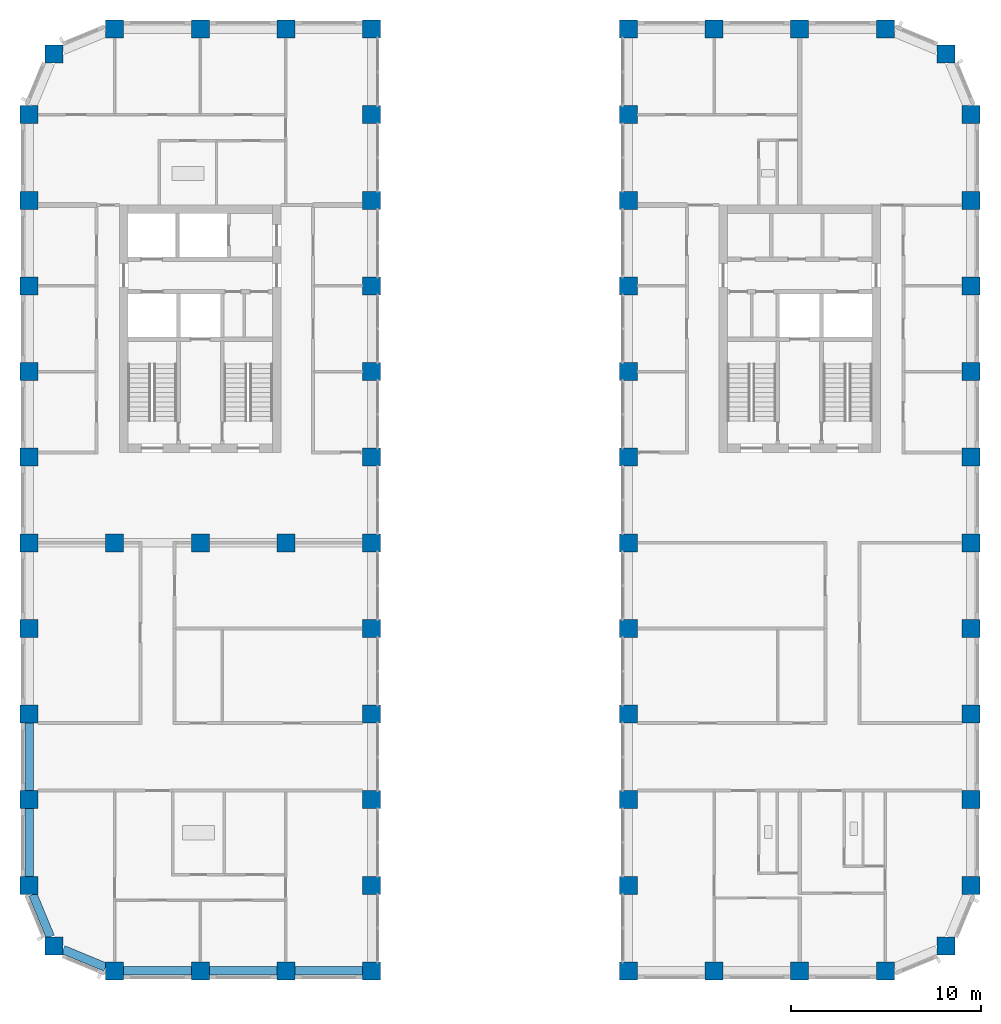
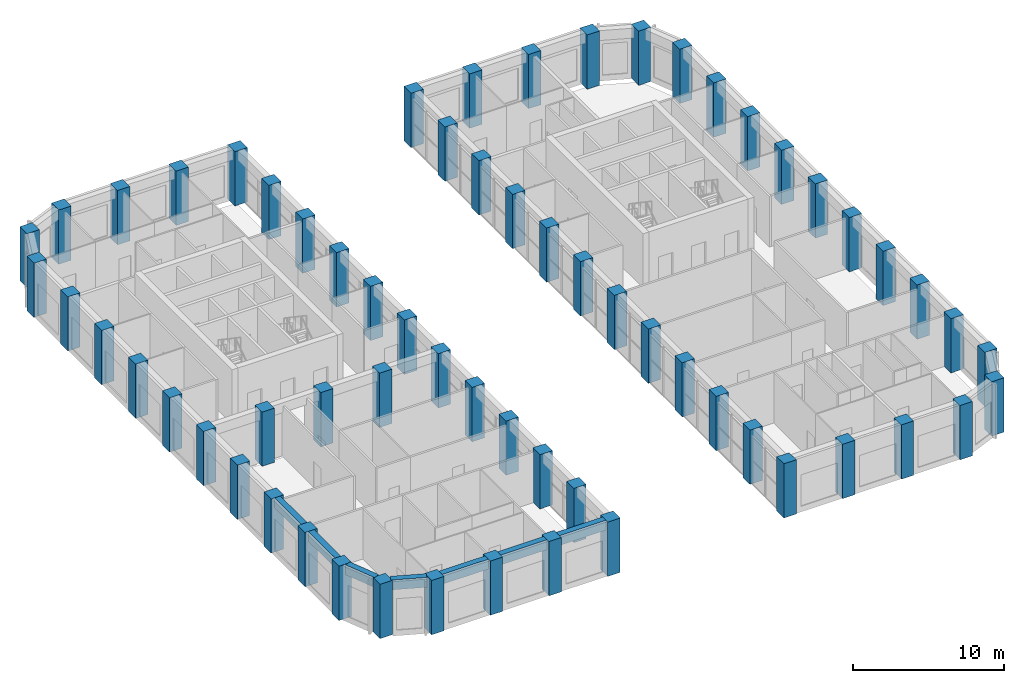
# One storey, part 1 of 19: 63 columns, 7 beams.
"""IFC4 building model written with IfcOpenShell, lengths in metres."""

from ifc_helpers import new_model, si_unit, direction, frame, origin, origin_2d, place, context, subcontext, project, spatial, rectangle, extrude, material, material_profile, profile_set, type_object, element, save


model = new_model("IFC4")

# Units and contexts
model_context = context("Model", 3, precision=1e-05, world=origin(), true_north=direction((0.0, 1.0)))
body_context = subcontext(model_context, "Body", "Model", "MODEL_VIEW")
ifc_project = project(units=[si_unit("LENGTHUNIT", "METRE"), si_unit("AREAUNIT", "SQUARE_METRE"), si_unit("VOLUMEUNIT", "CUBIC_METRE"), si_unit("PLANEANGLEUNIT", "RADIAN"), si_unit("MASSUNIT", "GRAM", prefix="KILO")], contexts=[model_context])

# Site, building, storey
site_placement = place(None, origin())
site = spatial("IfcSite", under=ifc_project, at=site_placement, CompositionType="ELEMENT")
building_placement = place(site_placement, origin())
building = spatial("IfcBuilding", under=site, at=building_placement, Name="Girih Gate Residences", CompositionType="ELEMENT")
storey_placement = place(building_placement, frame((0.0, 0.0, 163.800048828125)))
storey = spatial("IfcBuildingStorey", under=building, at=storey_placement, Name="L45", CompositionType="ELEMENT", Elevation=163.800048828125)

# Columns
ifc_material_1 = material(Name="Concrete C70/85", Category="concrete")
ifc_material_profile_1 = material_profile(ifc_material_1, rectangle(XDim=0.949951171875, YDim=0.949951171875, at=origin_2d()))
ifc_profile_set_1 = profile_set([ifc_material_profile_1], Name="Concrete C70/85")
column_type = type_object("IfcColumnType", Name="Pier RC 950x950 Concrete C70/85", PredefinedType="COLUMN", material=ifc_profile_set_1)
for number, where, z_axis, x_axis, name in (
    (1, (4.5, 0.0, 0.0), (0.0, 0.0, 1.0), (1.0, 0.0, 0.0), "Pier P2A L45"),
    (2, (9.0, 0.0, 0.0), (0.0, 0.0, 1.0), (1.0, 0.0, 0.0), "Pier P3A L45"),
    (3, (13.5, 0.0, 0.0), (0.0, 0.0, 1.0), (1.0, 0.0, 0.0), "Pier P4A L45"),
    (4, (18.0, 0.0, 0.0), (0.0, 0.0, 1.0), (1.0, 0.0, 0.0), "Pier P5A L45"),
    (5, (31.5, 0.0, 0.0), (0.0, 0.0, 1.0), (1.0, 0.0, 0.0), "Pier P8A L45"),
    (6, (36.0, 0.0, 0.0), (0.0, 0.0, 1.0), (1.0, 0.0, 0.0), "Pier P9A L45"),
    (7, (40.5, 0.0, 0.0), (0.0, 0.0, 1.0), (1.0, 0.0, 0.0), "Pier P10A L45"),
    (8, (45.0, 0.0, 0.0), (0.0, 0.0, 1.0), (1.0, 0.0, 0.0), "Pier P11A L45"),
    (9, (1.318115234375, 1.318115234375, 0.0), (0.0, 0.0, 1.0), (1.0, 0.0, 0.0), "Pier P1ANE L45"),
    (10, (48.181884765625, 1.318115234375, 0.0), (0.0, 0.0, 1.0), (1.0, 0.0, 0.0), "Pier P12ANW L45"),
    (11, (0.0, 4.5, 0.0), (0.0, 0.0, 1.0), (1.0, 0.0, 0.0), "Pier P1B L45"),
    (12, (18.0, 4.5, 0.0), (0.0, 0.0, 1.0), (1.0, 0.0, 0.0), "Pier P5B L45"),
    (13, (31.5, 4.5, 0.0), (0.0, 0.0, 1.0), (1.0, 0.0, 0.0), "Pier P8B L45"),
    (14, (49.5, 4.5, 0.0), (0.0, 0.0, 1.0), (1.0, 0.0, 0.0), "Pier P12B L45"),
    (15, (0.0, 9.0, 0.0), (0.0, 0.0, 1.0), (1.0, 0.0, 0.0), "Pier P1C L45"),
    (16, (18.0, 9.0, 0.0), (0.0, 0.0, 1.0), (1.0, 0.0, 0.0), "Pier P5C L45"),
    (17, (31.5, 9.0, 0.0), (0.0, 0.0, 1.0), (1.0, 0.0, 0.0), "Pier P8C L45"),
    (18, (49.5, 9.0, 0.0), (0.0, 0.0, 1.0), (1.0, 0.0, 0.0), "Pier P12C L45"),
    (19, (0.0, 13.5, 0.0), (0.0, 0.0, 1.0), (1.0, 0.0, 0.0), "Pier P1D L45"),
    (20, (18.0, 13.5, 0.0), (0.0, 0.0, 1.0), (1.0, 0.0, 0.0), "Pier P5D L45"),
    (21, (31.5, 13.5, 0.0), (0.0, 0.0, 1.0), (1.0, 0.0, 0.0), "Pier P8D L45"),
    (22, (49.5, 13.5, 0.0), (0.0, 0.0, 1.0), (1.0, 0.0, 0.0), "Pier P12D L45"),
    (23, (0.0, 18.0, 0.0), (0.0, 0.0, 1.0), (1.0, 0.0, 0.0), "Pier P1E L45"),
    (24, (18.0, 18.0, 0.0), (0.0, 0.0, 1.0), (1.0, 0.0, 0.0), "Pier P5E L45"),
    (25, (31.5, 18.0, 0.0), (0.0, 0.0, 1.0), (1.0, 0.0, 0.0), "Pier P8E L45"),
    (26, (49.5, 18.0, 0.0), (0.0, 0.0, 1.0), (1.0, 0.0, 0.0), "Pier P12E L45"),
    (27, (0.0, 22.5, 0.0), (0.0, 0.0, 1.0), (1.0, 0.0, 0.0), "Pier P1F L45"),
    (28, (4.5, 22.5, 0.0), (0.0, 0.0, 1.0), (1.0, 0.0, 0.0), "Pier P2F L45"),
    (29, (9.0, 22.5, 0.0), (0.0, 0.0, 1.0), (1.0, 0.0, 0.0), "Pier P3F L45"),
    (30, (13.5, 22.5, 0.0), (0.0, 0.0, 1.0), (1.0, 0.0, 0.0), "Pier P4F L45"),
    (31, (18.0, 22.5, 0.0), (0.0, 0.0, 1.0), (1.0, 0.0, 0.0), "Pier P5F L45"),
    (32, (31.5, 22.5, 0.0), (0.0, 0.0, 1.0), (1.0, 0.0, 0.0), "Pier P8F L45"),
    (33, (49.5, 22.5, 0.0), (0.0, 0.0, 1.0), (1.0, 0.0, 0.0), "Pier P12F L45"),
    (34, (0.0, 27.0, 0.0), (0.0, 0.0, 1.0), (1.0, 0.0, 0.0), "Pier P1G L45"),
    (35, (18.0, 27.0, 0.0), (0.0, 0.0, 1.0), (1.0, 0.0, 0.0), "Pier P5G L45"),
    (36, (31.5, 27.0, 0.0), (0.0, 0.0, 1.0), (1.0, 0.0, 0.0), "Pier P8G L45"),
    (37, (49.5, 27.0, 0.0), (0.0, 0.0, 1.0), (1.0, 0.0, 0.0), "Pier P12G L45"),
    (38, (0.0, 31.5, 0.0), (0.0, 0.0, 1.0), (1.0, 0.0, 0.0), "Pier P1H L45"),
    (39, (18.0, 31.5, 0.0), (0.0, 0.0, 1.0), (1.0, 0.0, 0.0), "Pier P5H L45"),
    (40, (31.5, 31.5, 0.0), (0.0, 0.0, 1.0), (1.0, 0.0, 0.0), "Pier P8H L45"),
    (41, (49.5, 31.5, 0.0), (0.0, 0.0, 1.0), (1.0, 0.0, 0.0), "Pier P12H L45"),
    (42, (0.0, 36.0, 0.0), (0.0, 0.0, 1.0), (1.0, 0.0, 0.0), "Pier P1I L45"),
    (43, (18.0, 36.0, 0.0), (0.0, 0.0, 1.0), (1.0, 0.0, 0.0), "Pier P5I L45"),
    (44, (31.5, 36.0, 0.0), (0.0, 0.0, 1.0), (1.0, 0.0, 0.0), "Pier P8I L45"),
    (45, (49.5, 36.0, 0.0), (0.0, 0.0, 1.0), (1.0, 0.0, 0.0), "Pier P12I L45"),
    (46, (0.0, 40.5, 0.0), (0.0, 0.0, 1.0), (1.0, 0.0, 0.0), "Pier P1J L45"),
    (47, (18.0, 40.5, 0.0), (0.0, 0.0, 1.0), (1.0, 0.0, 0.0), "Pier P5J L45"),
    (48, (31.5, 40.5, 0.0), (0.0, 0.0, 1.0), (1.0, 0.0, 0.0), "Pier P8J L45"),
    (49, (49.5, 40.5, 0.0), (0.0, 0.0, 1.0), (1.0, 0.0, 0.0), "Pier P12J L45"),
    (50, (0.0, 45.0, 0.0), (0.0, 0.0, 1.0), (1.0, 0.0, 0.0), "Pier P1K L45"),
    (51, (18.0, 45.0, 0.0), (0.0, 0.0, 1.0), (1.0, 0.0, 0.0), "Pier P5K L45"),
    (52, (31.5, 45.0, 0.0), (0.0, 0.0, 1.0), (1.0, 0.0, 0.0), "Pier P8K L45"),
    (53, (49.5, 45.0, 0.0), (0.0, 0.0, 1.0), (1.0, 0.0, 0.0), "Pier P12K L45"),
    (54, (1.318115234375, 48.181884765625, 0.0), (0.0, 0.0, 1.0), (1.0, 0.0, 0.0), "Pier P1LSE L45"),
    (55, (48.181884765625, 48.181884765625, 0.0), (0.0, 0.0, 1.0), (1.0, 0.0, 0.0), "Pier P12LSW L45"),
    (56, (4.5, 49.5, 0.0), (0.0, 0.0, 1.0), (1.0, 0.0, 0.0), "Pier P2L L45"),
    (57, (9.0, 49.5, 0.0), (0.0, 0.0, 1.0), (1.0, 0.0, 0.0), "Pier P3L L45"),
    (58, (13.5, 49.5, 0.0), (0.0, 0.0, 1.0), (1.0, 0.0, 0.0), "Pier P4L L45"),
    (59, (18.0, 49.5, 0.0), (0.0, 0.0, 1.0), (1.0, 0.0, 0.0), "Pier P5L L45"),
    (60, (31.5, 49.5, 0.0), (0.0, 0.0, 1.0), (1.0, 0.0, 0.0), "Pier P8L L45"),
    (61, (36.0, 49.5, 0.0), (0.0, 0.0, 1.0), (1.0, 0.0, 0.0), "Pier P9L L45"),
    (62, (40.5, 49.5, 0.0), (0.0, 0.0, 1.0), (1.0, 0.0, 0.0), "Pier P10L L45"),
    (63, (45.0, 49.5, 0.0), (0.0, 0.0, 1.0), (1.0, 0.0, 0.0), "Pier P11L L45"),
):
    element("IfcColumn", number, at=place(storey_placement, frame(where, z_axis=z_axis, x_axis=x_axis)), inside=storey, type_object=column_type, Name=name, PredefinedType="COLUMN", context=body_context, shape_type="SweptSolid", body=[
        extrude(rectangle(XDim=0.949951171875, YDim=0.949951171875, at=origin_2d()), origin(), (0.0, 0.0, 1.0), 4.39990234375),
    ])

# Beams
ifc_material_2 = material(Name="Concrete C60/75", Category="concrete")
ifc_material_profile_2 = material_profile(ifc_material_2, rectangle(XDim=0.449951171875, YDim=0.800048828125, at=origin_2d()))
ifc_profile_set_2 = profile_set([ifc_material_profile_2], Name="Concrete C60/75")
beam_type = type_object("IfcBeamType", Name="Spandrel girder RC 450x800 Concrete C60/75", PredefinedType="BEAM", material=ifc_profile_set_2)
for number, where, z_axis, x_axis, name in (
    (64, (0.0, 13.02490234375, 4.0), (0.0, -1.0, 0.0), (1.0, 0.0, 0.0), "Spandrel girder SP-P1D-P1C L45"),
    (65, (0.0, 8.52490234375, 4.0), (0.0, -1.0, 0.0), (1.0, 0.0, 0.0), "Spandrel girder SP-P1C-P1B L45"),
):
    element("IfcBeam", number, at=place(storey_placement, frame(where, z_axis=z_axis, x_axis=x_axis)), inside=storey, type_object=beam_type, Name=name, PredefinedType="BEAM", context=body_context, shape_type="SweptSolid", body=[
        extrude(rectangle(XDim=0.449951171875, YDim=0.800048828125, at=origin_2d()), origin(), (0.0, 0.0, 1.0), 3.5498046875),
    ])
for number, where, z_axis, x_axis, name in (
    (66, (0.19677734375, 4.02490234375, 4.0), (0.382705825988, -0.923870256451, 0.0), (0.923870256451, 0.382705825988, 0.0), "Spandrel girder SP-P1B-P1ANE L45"),
    (67, (1.79296875, 1.121337890625, 4.0), (0.923870256451, -0.382705825988, 0.0), (0.382705825988, 0.923870256451, 0.0), "Spandrel girder SP-P1ANE-P2A L45"),
):
    element("IfcBeam", number, at=place(storey_placement, frame(where, z_axis=z_axis, x_axis=x_axis)), inside=storey, type_object=beam_type, Name=name, PredefinedType="BEAM", context=body_context, shape_type="SweptSolid", body=[
        extrude(rectangle(XDim=0.449951171875, YDim=0.800048828125, at=origin_2d()), origin(), (0.0, 0.0, 1.0), 2.415771484375),
    ])
for number, where, z_axis, x_axis, name in (
    (68, (4.97509765625, 0.0, 4.0), (1.0, 0.0, 0.0), (0.0, 1.0, 0.0), "Spandrel girder SP-P2A-P3A L45"),
    (69, (9.47509765625, 0.0, 4.0), (1.0, 0.0, 0.0), (0.0, 1.0, 0.0), "Spandrel girder SP-P3A-P4A L45"),
    (70, (13.97509765625, 0.0, 4.0), (1.0, 0.0, 0.0), (0.0, 1.0, 0.0), "Spandrel girder SP-P4A-P5A L45"),
):
    element("IfcBeam", number, at=place(storey_placement, frame(where, z_axis=z_axis, x_axis=x_axis)), inside=storey, type_object=beam_type, Name=name, PredefinedType="BEAM", context=body_context, shape_type="SweptSolid", body=[
        extrude(rectangle(XDim=0.449951171875, YDim=0.800048828125, at=origin_2d()), origin(), (0.0, 0.0, 1.0), 3.5498046875),
    ])

save(model, "model.ifc")
